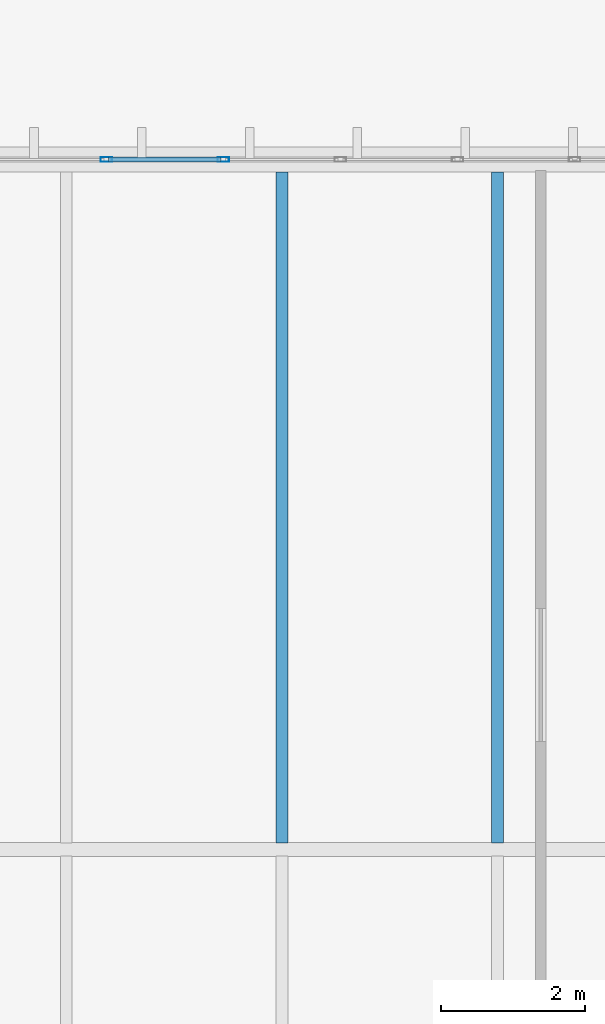
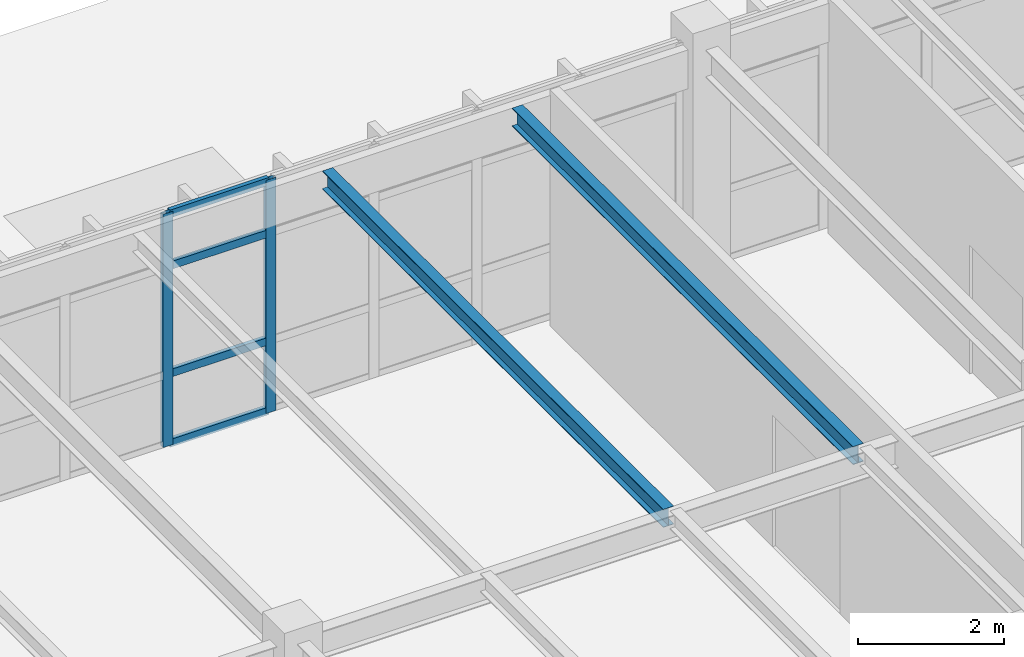
# One storey, part 53 of 83: 6 members, 2 beams, 1 element without a shape of its own.
"""IFC4 building model written with IfcOpenShell, lengths in metres."""

from ifc_helpers import new_model, si_unit, direction, frame, origin, origin_2d, place, context, subcontext, project, spatial, hollow_rectangle, i_section, extrude, material, layer, layer_set, material_profile, profile_set, type_object, element, aggregate, save


model = new_model("IFC4")

# Units and contexts
model_context = context("Model", 3, precision=1e-05, world=origin(), true_north=direction((0.0, 1.0)))
body_context = subcontext(model_context, "Body", "Model", "MODEL_VIEW")
ifc_project = project(units=[si_unit("LENGTHUNIT", "METRE"), si_unit("AREAUNIT", "SQUARE_METRE"), si_unit("VOLUMEUNIT", "CUBIC_METRE"), si_unit("PLANEANGLEUNIT", "RADIAN"), si_unit("MASSUNIT", "GRAM", prefix="KILO")], contexts=[model_context])

# Site, building, storey
site_placement = place(None, origin())
site = spatial("IfcSite", under=ifc_project, at=site_placement, CompositionType="ELEMENT")
building_placement = place(site_placement, origin())
building = spatial("IfcBuilding", under=site, at=building_placement, Name="Pandanus Reach Market Hall", CompositionType="ELEMENT")
storey_placement = place(building_placement, frame((0.0, 0.0, 10.199951171875)))
storey = spatial("IfcBuildingStorey", under=building, at=storey_placement, Name="L02", CompositionType="ELEMENT", Elevation=10.199951171875)

# Curtain wall, members
ifc_material_1 = material(Name="Bronze anodised aluminium and low-E glass", Category="aluminium")
ifc_layer = layer(ifc_material_1, 0.159912109375, Name="CW-31")
ifc_layer_set = layer_set([ifc_layer], Name="Bronze anodised aluminium and low-E glass")
curtain_wall_type = type_object("IfcCurtainWallType", Name="CW-31", PredefinedType="NOTDEFINED", material=ifc_layer_set)
curtain_wall_placement = place(storey_placement, origin())
curtain_wall = element("IfcCurtainWall", 1, at=curtain_wall_placement, inside=storey, type_object=curtain_wall_type, Name="Glazed curtain wall CW-31 CW-0103", PredefinedType="NOTDEFINED")
ifc_material_2 = material(Name="Bronze anodised aluminium", Category="aluminium")
ifc_material_profile_1 = material_profile(ifc_material_2, hollow_rectangle(XDim=0.06494140625, YDim=0.159912109375, WallThickness=0.00390625, at=origin_2d()), Name="ALU65x160", Category="LoadBearing")
ifc_profile_set_1 = profile_set([ifc_material_profile_1], Name="Bronze anodised aluminium")
member_type_1 = type_object("IfcMemberType", Name="CW-M1", PredefinedType="MULLION", material=ifc_profile_set_1)
member_1_placement = place(storey_placement, frame((159.55712890625, 86.39990234375, 0.0), z_axis=(0.0, 0.0, 1.0), x_axis=(0.0, 1.0, 0.0)))
member_1 = element("IfcMember", 2, at=member_1_placement, type_object=member_type_1, Name="CW-31 mullion 3", PredefinedType="MULLION", context=body_context, shape_type="SweptSolid", body=[
    extrude(hollow_rectangle(XDim=0.06494140625, YDim=0.159912109375, WallThickness=0.00390625, at=origin_2d()), origin(), (0.0, 0.0, 1.0), 3.900146484375),
])
member_2_placement = place(storey_placement, frame((161.185791015625, 86.39990234375, 0.0), z_axis=(0.0, 0.0, 1.0), x_axis=(0.0, 1.0, 0.0)))
member_2 = element("IfcMember", 3, at=member_2_placement, type_object=member_type_1, Name="CW-31 mullion 4", PredefinedType="MULLION", context=body_context, shape_type="SweptSolid", body=[
    extrude(hollow_rectangle(XDim=0.06494140625, YDim=0.159912109375, WallThickness=0.00390625, at=origin_2d()), origin(), (0.0, 0.0, 1.0), 3.900146484375),
])
ifc_material_profile_2 = material_profile(ifc_material_2, hollow_rectangle(XDim=0.06494140625, YDim=0.1298828125, WallThickness=0.00390625, at=origin_2d()), Name="ALU65x130", Category="LoadBearing")
ifc_profile_set_2 = profile_set([ifc_material_profile_2], Name="Bronze anodised aluminium")
member_type_2 = type_object("IfcMemberType", Name="CW-T1", PredefinedType="USERDEFINED", material=ifc_profile_set_2)
member_3_placement = place(storey_placement, frame((159.589599609375, 86.39990234375, 0.032470703125), z_axis=(1.0, 0.0, 0.0), x_axis=(0.0, 1.0, 0.0)))
member_3 = element("IfcMember", 4, at=member_3_placement, type_object=member_type_2, Name="CW-31 transom 3.1", ObjectType="TRANSOM", PredefinedType="USERDEFINED", context=body_context, shape_type="SweptSolid", body=[
    extrude(hollow_rectangle(XDim=0.06494140625, YDim=0.1298828125, WallThickness=0.00390625, at=origin_2d()), origin(), (0.0, 0.0, 1.0), 1.563720703125),
])
member_4_placement = place(storey_placement, frame((159.589599609375, 86.39990234375, 1.199951171875), z_axis=(1.0, 0.0, 0.0), x_axis=(0.0, 1.0, 0.0)))
member_4 = element("IfcMember", 5, at=member_4_placement, type_object=member_type_2, Name="CW-31 transom 3.2", ObjectType="TRANSOM", PredefinedType="USERDEFINED", context=body_context, shape_type="SweptSolid", body=[
    extrude(hollow_rectangle(XDim=0.06494140625, YDim=0.1298828125, WallThickness=0.00390625, at=origin_2d()), origin(), (0.0, 0.0, 1.0), 1.563720703125),
])
member_5_placement = place(storey_placement, frame((159.589599609375, 86.39990234375, 3.0), z_axis=(1.0, 0.0, 0.0), x_axis=(0.0, 1.0, 0.0)))
member_5 = element("IfcMember", 6, at=member_5_placement, type_object=member_type_2, Name="CW-31 transom 3.3", ObjectType="TRANSOM", PredefinedType="USERDEFINED", context=body_context, shape_type="SweptSolid", body=[
    extrude(hollow_rectangle(XDim=0.06494140625, YDim=0.1298828125, WallThickness=0.00390625, at=origin_2d()), origin(), (0.0, 0.0, 1.0), 1.563720703125),
])
member_6_placement = place(storey_placement, frame((159.589599609375, 86.39990234375, 3.867431640625), z_axis=(1.0, 0.0, 0.0), x_axis=(0.0, 1.0, 0.0)))
member_6 = element("IfcMember", 7, at=member_6_placement, type_object=member_type_2, Name="CW-31 transom 3.4", ObjectType="TRANSOM", PredefinedType="USERDEFINED", context=body_context, shape_type="SweptSolid", body=[
    extrude(hollow_rectangle(XDim=0.06494140625, YDim=0.1298828125, WallThickness=0.00390625, at=origin_2d()), origin(), (0.0, 0.0, 1.0), 1.563720703125),
])
aggregate(curtain_wall, [member_1, member_2, member_3, member_4, member_5, member_6])

# Beams
ifc_material_3 = material(Name="Steel Grade 350 (350 MPa)", Category="steel")
ifc_material_profile_3 = material_profile(ifc_material_3, i_section(OverallWidth=0.1650390625, OverallDepth=0.303955078125, WebThickness=0.006103515625, FlangeThickness=0.01025390625, at=origin_2d()), Name="310UB40.4", Category="LoadBearing")
ifc_profile_set_3 = profile_set([ifc_material_profile_3], Name="Steel Grade 350 (350 MPa)")
beam_type = type_object("IfcBeamType", Name="JS-UB310-I", PredefinedType="JOIST", material=ifc_profile_set_3)
for number, where, z_axis, x_axis, name in (
    (8, (162.0, 76.89306640625, 3.707763671875), (0.0, 1.0, 0.0), (-1.0, 0.0, 0.0), "Secondary joist JS-UB310-I L02.519"),
    (9, (165.0, 76.89306640625, 3.707763671875), (0.0, 1.0, 0.0), (-1.0, 0.0, 0.0), "Secondary joist JS-UB310-I L02.520"),
):
    element("IfcBeam", number, at=place(storey_placement, frame(where, z_axis=z_axis, x_axis=x_axis)), inside=storey, type_object=beam_type, Name=name, PredefinedType="JOIST", context=body_context, shape_type="SweptSolid", body=[
        extrude(i_section(OverallWidth=0.1650390625, OverallDepth=0.303955078125, WebThickness=0.006103515625, FlangeThickness=0.01025390625, at=origin_2d()), origin(), (0.0, 0.0, 1.0), 9.333984375),
    ])

save(model, "model.ifc")
